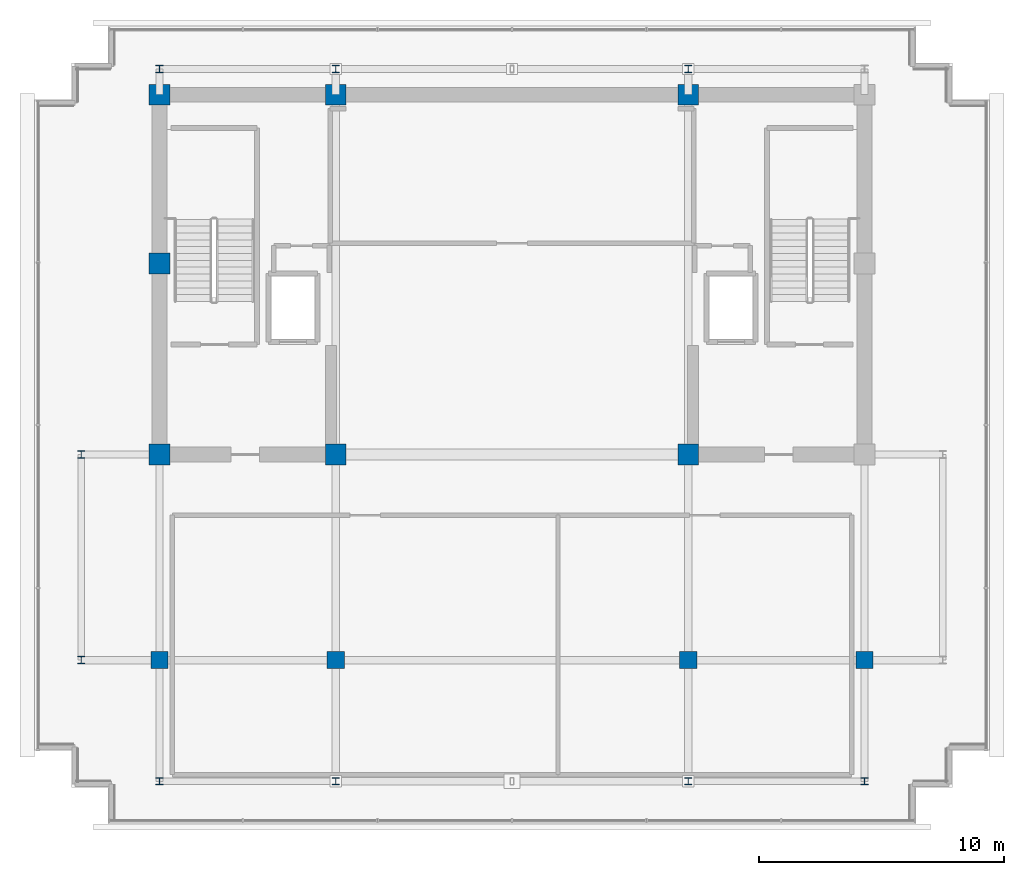
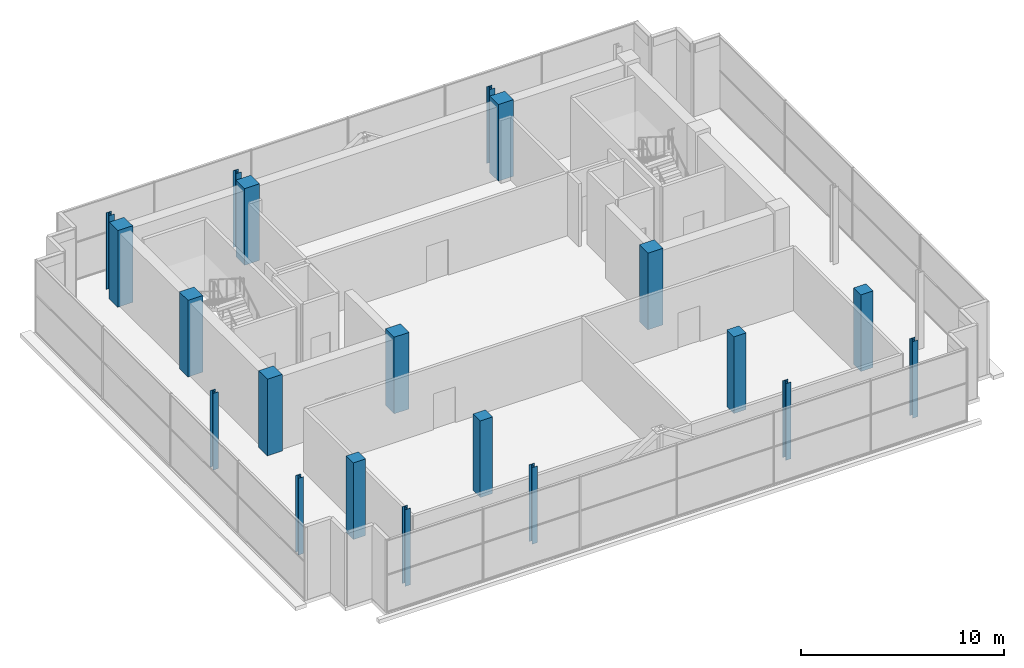
# One storey, part 1 of 26: 20 columns.
"""IFC4 building model written with IfcOpenShell, lengths in metres."""

from ifc_helpers import new_model, si_unit, direction, frame, origin, origin_2d, place, context, subcontext, project, spatial, rectangle, i_section, extrude, material, material_profile, profile_set, type_object, element, save


model = new_model("IFC4")

# Units and contexts
model_context = context("Model", 3, precision=1e-05, world=origin(), true_north=direction((0.0, 1.0)))
body_context = subcontext(model_context, "Body", "Model", "MODEL_VIEW")
ifc_project = project(units=[si_unit("LENGTHUNIT", "METRE"), si_unit("AREAUNIT", "SQUARE_METRE"), si_unit("VOLUMEUNIT", "CUBIC_METRE"), si_unit("PLANEANGLEUNIT", "RADIAN"), si_unit("MASSUNIT", "GRAM", prefix="KILO")], contexts=[model_context])

# Site, building, storey
site_placement = place(None, origin())
site = spatial("IfcSite", under=ifc_project, at=site_placement, CompositionType="ELEMENT")
building_placement = place(site_placement, origin())
building = spatial("IfcBuilding", under=site, at=building_placement, Name="Zarnakvel Exchange Tower", CompositionType="ELEMENT")
storey_placement = place(building_placement, frame((0.0, 0.0, 280.800048828125)))
storey = spatial("IfcBuildingStorey", under=building, at=storey_placement, Name="Crown L79", CompositionType="ELEMENT", Elevation=280.800048828125)

# Columns
ifc_material_1 = material(Name="Concrete C50/60", Category="concrete")
ifc_material_profile_1 = material_profile(ifc_material_1, rectangle(XDim=0.85009765625, YDim=0.85009765625, at=origin_2d()))
ifc_profile_set_1 = profile_set([ifc_material_profile_1], Name="Concrete C50/60")
column_type_1 = type_object("IfcColumnType", Name="CC-03", PredefinedType="COLUMN", material=ifc_profile_set_1)
for number, where, z_axis, x_axis, name in (
    (1, (-14.39990234375, -1.199951171875, 0.0), (0.0, 0.0, 1.0), (1.0, 0.0, 0.0), "Crown L79 Column C-4D (CC-03)"),
    (2, (-7.199951171875, -1.199951171875, 0.0), (0.0, 0.0, 1.0), (1.0, 0.0, 0.0), "Crown L79 Column C-5D (CC-03)"),
    (3, (7.199951171875, -1.199951171875, 0.0), (0.0, 0.0, 1.0), (1.0, 0.0, 0.0), "Crown L79 Column C-8D (CC-03)"),
    (4, (-14.39990234375, 6.60009765625, 0.0), (0.0, 0.0, 1.0), (1.0, 0.0, 0.0), "Crown L79 Column C-4E (CC-03)"),
    (5, (-14.39990234375, 13.5, 0.0), (0.0, 0.0, 1.0), (1.0, 0.0, 0.0), "Crown L79 Column C-4F (CC-03)"),
    (6, (-7.199951171875, 13.5, 0.0), (0.0, 0.0, 1.0), (1.0, 0.0, 0.0), "Crown L79 Column C-5F (CC-03)"),
    (7, (7.199951171875, 13.5, 0.0), (0.0, 0.0, 1.0), (1.0, 0.0, 0.0), "Crown L79 Column C-8F (CC-03)"),
):
    element("IfcColumn", number, at=place(storey_placement, frame(where, z_axis=z_axis, x_axis=x_axis)), inside=storey, type_object=column_type_1, Name=name, PredefinedType="COLUMN", context=body_context, shape_type="SweptSolid", body=[
        extrude(rectangle(XDim=0.85009765625, YDim=0.85009765625, at=origin_2d()), origin(), (0.0, 0.0, 1.0), 4.599853515625),
    ])
ifc_material_2 = material(Name="Steel S355", Category="steel")
ifc_material_profile_2 = material_profile(ifc_material_2, i_section(OverallWidth=0.300048828125, OverallDepth=0.300048828125, WebThickness=0.010986328125, FlangeThickness=0.01904296875, FilletRadius=0.027099609375, at=origin_2d()))
ifc_profile_set_2 = profile_set([ifc_material_profile_2], Name="Steel S355")
column_type_2 = type_object("IfcColumnType", Name="CF-01", PredefinedType="COLUMN", material=ifc_profile_set_2)
for number, where, z_axis, x_axis, name in (
    (8, (-14.39990234375, -14.550048828125, 0.0), (0.0, 0.0, 1.0), (1.0, 0.0, 0.0), "Crown L79 Column CS-4 (CF-01)"),
    (9, (-14.39990234375, 14.550048828125, 0.0), (0.0, 0.0, 1.0), (1.0, 0.0, 0.0), "Crown L79 Column CN-4 (CF-01)"),
    (10, (-7.199951171875, -14.550048828125, 0.0), (0.0, 0.0, 1.0), (1.0, 0.0, 0.0), "Crown L79 Column CS-5 (CF-01)"),
    (11, (-7.199951171875, 14.550048828125, 0.0), (0.0, 0.0, 1.0), (1.0, 0.0, 0.0), "Crown L79 Column CN-5 (CF-01)"),
    (12, (7.199951171875, -14.550048828125, 0.0), (0.0, 0.0, 1.0), (1.0, 0.0, 0.0), "Crown L79 Column CS-8 (CF-01)"),
    (13, (7.199951171875, 14.550048828125, 0.0), (0.0, 0.0, 1.0), (1.0, 0.0, 0.0), "Crown L79 Column CN-8 (CF-01)"),
    (14, (14.39990234375, -14.550048828125, 0.0), (0.0, 0.0, 1.0), (1.0, 0.0, 0.0), "Crown L79 Column CS-9 (CF-01)"),
    (15, (-17.60009765625, -9.60009765625, 0.0), (0.0, 0.0, 1.0), (1.0, 0.0, 0.0), "Crown L79 Column CW-C (CF-01)"),
    (16, (-17.60009765625, -1.199951171875, 0.0), (0.0, 0.0, 1.0), (1.0, 0.0, 0.0), "Crown L79 Column CW-D (CF-01)"),
):
    element("IfcColumn", number, at=place(storey_placement, frame(where, z_axis=z_axis, x_axis=x_axis)), inside=storey, type_object=column_type_2, Name=name, PredefinedType="COLUMN", context=body_context, shape_type="SweptSolid", body=[
        extrude(i_section(OverallWidth=0.300048828125, OverallDepth=0.300048828125, WebThickness=0.010986328125, FlangeThickness=0.01904296875, FilletRadius=0.027099609375, at=origin_2d()), origin(), (0.0, 0.0, 1.0), 4.599853515625),
    ])
ifc_material_profile_3 = material_profile(ifc_material_1, rectangle(XDim=0.699951171875, YDim=0.699951171875, at=origin_2d()))
ifc_profile_set_3 = profile_set([ifc_material_profile_3], Name="Concrete C50/60")
column_type_3 = type_object("IfcColumnType", Name="TC-05", PredefinedType="COLUMN", material=ifc_profile_set_3)
for number, where, z_axis, x_axis, name in (
    (17, (-14.39990234375, -9.60009765625, 0.0), (0.0, 0.0, 1.0), (1.0, 0.0, 0.0), "Crown L79 Column CC-4C (TC-05)"),
    (18, (-7.199951171875, -9.60009765625, 0.0), (0.0, 0.0, 1.0), (1.0, 0.0, 0.0), "Crown L79 Column CC-5C (TC-05)"),
    (19, (7.199951171875, -9.60009765625, 0.0), (0.0, 0.0, 1.0), (1.0, 0.0, 0.0), "Crown L79 Column CC-8C (TC-05)"),
    (20, (14.39990234375, -9.60009765625, 0.0), (0.0, 0.0, 1.0), (1.0, 0.0, 0.0), "Crown L79 Column CC-9C (TC-05)"),
):
    element("IfcColumn", number, at=place(storey_placement, frame(where, z_axis=z_axis, x_axis=x_axis)), inside=storey, type_object=column_type_3, Name=name, PredefinedType="COLUMN", context=body_context, shape_type="SweptSolid", body=[
        extrude(rectangle(XDim=0.699951171875, YDim=0.699951171875, at=origin_2d()), origin(), (0.0, 0.0, 1.0), 4.599853515625),
    ])

save(model, "model.ifc")
